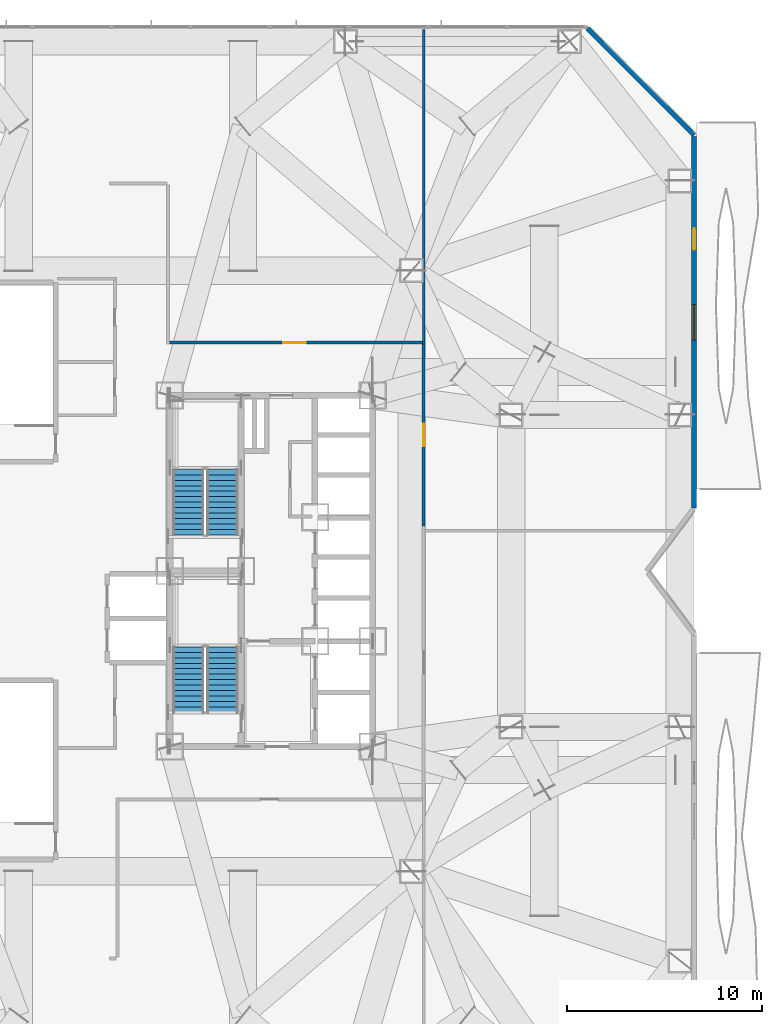
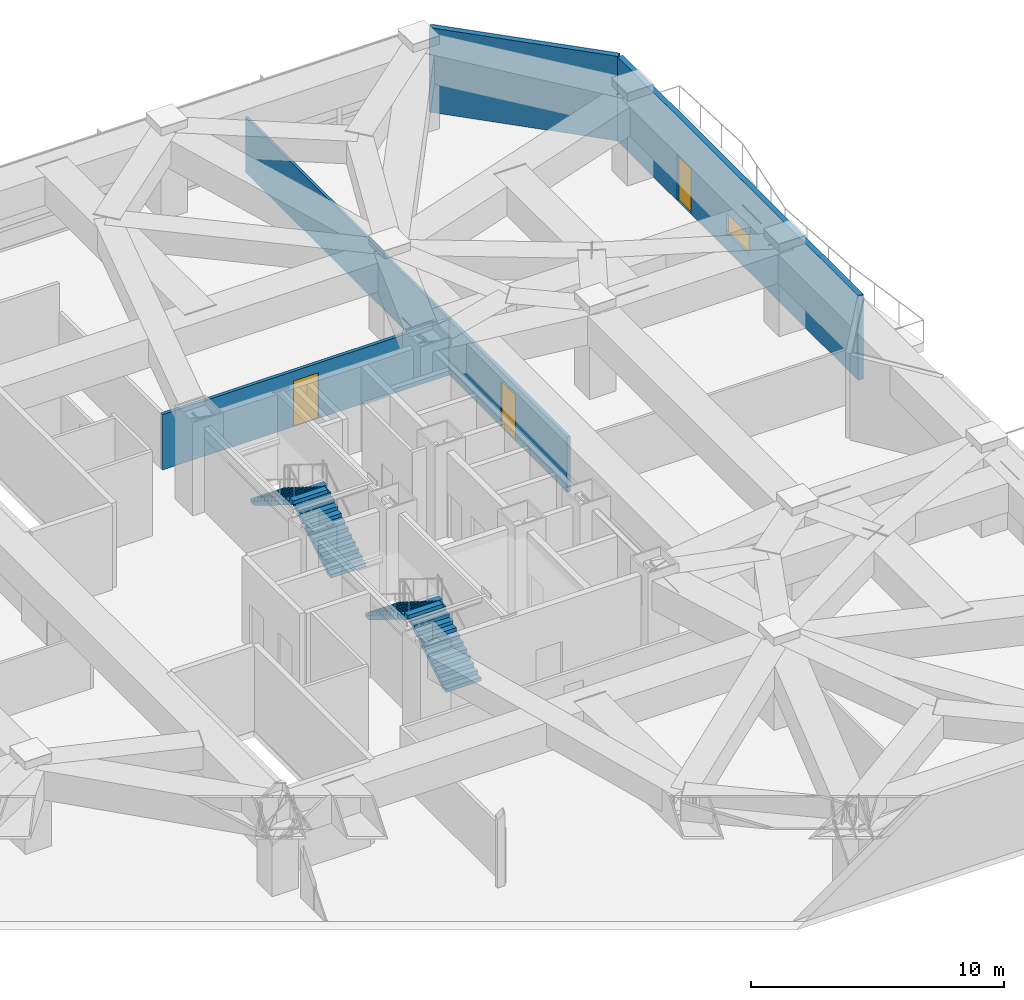
# One storey, part 22 of 27: 5 walls, 4 stair flights, 3 doors, 1 window, 4 openings, 2 elements without a shape of their own.
"""IFC4 building model written with IfcOpenShell, lengths in metres."""

from ifc_helpers import new_model, si_unit, direction, frame, frame_2d, origin, place, context, subcontext, project, spatial, polyline, rectangle, outline, extrude, material, layer, layer_set, type_object, element, fill, aggregate, save


model = new_model("IFC4")

# Units and contexts
model_context = context("Model", 3, precision=1e-05, world=origin(), true_north=direction((0.0, 1.0)))
body_context = subcontext(model_context, "Body", "Model", "MODEL_VIEW")
ifc_project = project(units=[si_unit("LENGTHUNIT", "METRE"), si_unit("AREAUNIT", "SQUARE_METRE"), si_unit("VOLUMEUNIT", "CUBIC_METRE"), si_unit("PLANEANGLEUNIT", "RADIAN"), si_unit("MASSUNIT", "GRAM", prefix="KILO")], contexts=[model_context])

# Site, building, storey
site_placement = place(None, origin())
site = spatial("IfcSite", under=ifc_project, at=site_placement, CompositionType="ELEMENT")
building_placement = place(site_placement, origin())
building = spatial("IfcBuilding", under=site, at=building_placement, Name="Khamvora Tower", CompositionType="ELEMENT")
storey_placement = place(building_placement, frame((0.0, 0.0, 28.800048828125)))
storey = spatial("IfcBuildingStorey", under=building, at=storey_placement, Name="L06", CompositionType="ELEMENT", Elevation=28.800048828125)

# Wall, opening, door
ifc_material_1 = material(Name="Fire-Rated Drywall and Steel Stud", Category="steel")
ifc_layer_1 = layer(ifc_material_1, 0.14990234375)
ifc_layer_set_1 = layer_set([ifc_layer_1], Name="Fire-Rated Drywall and Steel Stud")
wall_type_1 = type_object("IfcWallType", Name="WAL-CORR-150", PredefinedType="STANDARD", material=ifc_layer_set_1)
wall_1_placement = place(storey_placement, frame((42.014892578125, 39.64990234375, 0.0), z_axis=(0.0, 0.0, 1.0), x_axis=(0.0, -1.0, 0.0)))
wall_1 = element("IfcWall", 1, at=wall_1_placement, inside=storey, type_object=wall_type_1, Name="L06 interior partition wall 015", PredefinedType="STANDARD", context=body_context, shape_type="SweptSolid", body=[
    extrude(rectangle(XDim=9.3359375, YDim=0.14990234375, at=frame_2d((4.66796875, 0.0))), origin(), (0.0, 0.0, 1.0), 2.669921875),
])
opening_1_placement = place(wall_1_placement, frame((4.093017578125, 0.0, 0.0)))
opening_1 = element("IfcOpeningElement", 2, at=opening_1_placement, cuts=wall_1, Name="Opening D-SC1", PredefinedType="OPENING", context=body_context, shape_type="SweptSolid", body=[
    extrude(rectangle(XDim=1.14990234375, YDim=2.199951171875, at=frame_2d((0.574951171875, 1.10009765625))), frame((0.0, 0.0849609375, 0.0), z_axis=(0.0, -1.0, 0.0), x_axis=(1.0, 0.0, 0.0)), (0.0, 0.0, 1.0), 0.169921875),
])
ifc_material_2 = material(Name="Powder-Coated Steel and Hardwood Leaf", Category="steel")
door_type_1 = type_object("IfcDoorType", Name="DOR-SCHL-1150", OperationType="NOTDEFINED", PredefinedType="DOOR", material=ifc_material_2)
door_1_placement = place(opening_1_placement, origin())
door_1 = element("IfcDoor", 3, at=door_1_placement, inside=storey, type_object=door_type_1, Name="L06 interior door SCOR-SLN", OperationType="SINGLE_SWING_LEFT", OverallHeight=2.199951171875, OverallWidth=1.14990234375, PredefinedType="DOOR", context=body_context, shape_type="SweptSolid", body=[
    extrude(rectangle(XDim=1.14990234375, YDim=2.199951171875, at=frame_2d((0.574951171875, 1.10009765625))), frame((0.0, 0.02490234375, 0.0), z_axis=(0.0, -1.0, 0.0), x_axis=(1.0, 0.0, 0.0)), (0.0, 0.0, 1.0), 0.050048828125),
])
fill(opening_1, door_1)

wall_2_placement = place(storey_placement, frame((28.85205078125, 39.715087890625, 0.0), z_axis=(0.0, 0.0, 1.0), x_axis=(1.0, 0.0, 0.0)))
wall_2 = element("IfcWall", 4, at=wall_2_placement, inside=storey, type_object=wall_type_1, Name="L06 interior partition wall 021", PredefinedType="STANDARD", context=body_context, shape_type="SweptSolid", body=[
    extrude(rectangle(XDim=13.097900390625, YDim=0.14990234375, at=frame_2d((6.548828125, 0.0))), origin(), (0.0, 0.0, 1.0), 2.669921875),
])
opening_2_placement = place(wall_2_placement, frame((5.97412109375, 0.0, 0.0)))
opening_2 = element("IfcOpeningElement", 5, at=opening_2_placement, cuts=wall_2, Name="Opening D-SC1", PredefinedType="OPENING", context=body_context, shape_type="SweptSolid", body=[
    extrude(rectangle(XDim=1.14990234375, YDim=2.199951171875, at=frame_2d((0.574951171875, 1.10009765625))), frame((0.0, 0.0849609375, 0.0), z_axis=(0.0, -1.0, 0.0), x_axis=(1.0, 0.0, 0.0)), (0.0, 0.0, 1.0), 0.169921875),
])
door_2_placement = place(opening_2_placement, origin())
door_2 = element("IfcDoor", 6, at=door_2_placement, inside=storey, type_object=door_type_1, Name="L06 interior door SCOR-RCR", OperationType="SINGLE_SWING_LEFT", OverallHeight=2.199951171875, OverallWidth=1.14990234375, PredefinedType="DOOR", context=body_context, shape_type="SweptSolid", body=[
    extrude(rectangle(XDim=1.14990234375, YDim=2.199951171875, at=frame_2d((0.574951171875, 1.10009765625))), frame((0.0, 0.02490234375, 0.0), z_axis=(0.0, -1.0, 0.0), x_axis=(1.0, 0.0, 0.0)), (0.0, 0.0, 1.0), 0.050048828125),
])
fill(opening_2, door_2)

# Wall
ifc_material_3 = material(Name="Precast concrete C40/50", Category="concrete")
ifc_layer_2 = layer(ifc_material_3, 0.239990234375)
ifc_layer_set_2 = layer_set([ifc_layer_2], Name="Precast concrete C40/50")
wall_type_2 = type_object("IfcWallType", Name="WAL-EXT-240", PredefinedType="STANDARD", material=ifc_layer_set_2)
wall_3_placement = place(storey_placement, frame((50.405029296875, 55.824951171875, 0.0), z_axis=(0.0, 0.0, 1.0), x_axis=(0.707106781187, -0.707106781187, 0.0)))
element("IfcWall", 7, at=wall_3_placement, inside=storey, type_object=wall_type_2, Name="L06 exterior facade wall 08.1", PredefinedType="STANDARD", context=body_context, shape_type="SweptSolid", body=[
    extrude(rectangle(XDim=7.74267578125, YDim=0.239990234375, at=frame_2d((3.871337890625, 0.0))), origin(), (0.0, 0.0, 1.0), 4.079833984375),
])

# Wall, openings, door, window
wall_4_placement = place(storey_placement, frame((55.8798828125, 50.27197265625, 0.0), z_axis=(0.0, 0.0, 1.0), x_axis=(0.0, -1.0, 0.0)))
wall_4 = element("IfcWall", 8, at=wall_4_placement, inside=storey, type_object=wall_type_2, Name="L06 exterior facade wall 09.1", PredefinedType="STANDARD", context=body_context, shape_type="SweptSolid", body=[
    extrude(rectangle(XDim=19.031982421875, YDim=0.239990234375, at=frame_2d((9.51611328125, 0.0))), origin(), (0.0, 0.0, 1.0), 4.079833984375),
])
opening_3_placement = place(wall_4_placement, frame((4.7060546875, 0.0, 0.0)))
opening_3 = element("IfcOpeningElement", 9, at=opening_3_placement, cuts=wall_4, Name="Opening BD-01", PredefinedType="OPENING", context=body_context, shape_type="SweptSolid", body=[
    extrude(rectangle(XDim=1.10009765625, YDim=2.199951171875, at=frame_2d((0.550048828125, 1.10009765625))), frame((0.0, 0.1298828125, 0.0), z_axis=(0.0, -1.0, 0.0), x_axis=(1.0, 0.0, 0.0)), (0.0, 0.0, 1.0), 0.260009765625),
])
opening_4_placement = place(wall_4_placement, frame((8.615966796875, 0.0, 0.85009765625)))
opening_4 = element("IfcOpeningElement", 10, at=opening_4_placement, cuts=wall_4, Name="Opening WN-09", PredefinedType="OPENING", context=body_context, shape_type="SweptSolid", body=[
    extrude(rectangle(XDim=1.800048828125, YDim=0.919921875, at=frame_2d((0.89990234375, 0.4599609375))), frame((0.0, 0.1298828125, 0.0), z_axis=(0.0, -1.0, 0.0), x_axis=(1.0, 0.0, 0.0)), (0.0, 0.0, 1.0), 0.260009765625),
])
ifc_material_4 = material(Name="Anodised Aluminium and Laminated Safety Glass", Category="aluminium")
door_type_2 = type_object("IfcDoorType", Name="DOR-BAL-1100", OperationType="NOTDEFINED", PredefinedType="DOOR", material=ifc_material_4)
door_3_placement = place(opening_3_placement, origin())
door_3 = element("IfcDoor", 11, at=door_3_placement, inside=storey, type_object=door_type_2, Name="L06 lens gallery balcony door EL2", OperationType="SLIDING_TO_LEFT", OverallHeight=2.199951171875, OverallWidth=1.10009765625, PredefinedType="DOOR", context=body_context, shape_type="SweptSolid", body=[
    extrude(rectangle(XDim=1.10009765625, YDim=2.199951171875, at=frame_2d((0.550048828125, 1.10009765625))), frame((0.0, 0.02490234375, 0.0), z_axis=(0.0, -1.0, 0.0), x_axis=(1.0, 0.0, 0.0)), (0.0, 0.0, 1.0), 0.050048828125),
])
fill(opening_3, door_3)
ifc_material_5 = material(Name="Low-E Laminated Double Glazing", Category="glass")
window_type = type_object("IfcWindowType", Name="WIN-CLR-1800x920", PartitioningType="SINGLE_PANEL", PredefinedType="WINDOW", material=ifc_material_5)
window_placement = place(opening_4_placement, origin())
window = element("IfcWindow", 12, at=window_placement, inside=storey, type_object=window_type, Name="L06 vision window 09.1.01", OverallHeight=0.919921875, OverallWidth=1.800048828125, PartitioningType="SINGLE_PANEL", PredefinedType="WINDOW", context=body_context, shape_type="SweptSolid", body=[
    extrude(rectangle(XDim=1.800048828125, YDim=0.919921875, at=frame_2d((0.89990234375, 0.4599609375))), frame((0.0, 0.030029296875, 0.0), z_axis=(0.0, -1.0, 0.0), x_axis=(1.0, 0.0, 0.0)), (0.0, 0.0, 1.0), 0.06005859375),
])
fill(opening_4, window)

# Wall
ifc_material_6 = material(Name="Gypsum Plasterboard Partition", Category="gypsum")
ifc_layer_3 = layer(ifc_material_6, 0.1201171875)
ifc_layer_set_3 = layer_set([ifc_layer_3], Name="Gypsum Plasterboard Partition")
wall_type_3 = type_object("IfcWallType", Name="WAL-PART-120", PredefinedType="PARTITIONING", material=ifc_layer_set_3)
wall_5_placement = place(storey_placement, frame((42.014892578125, 39.64990234375, 0.0), z_axis=(0.0, 0.0, 1.0), x_axis=(0.0, 1.0, 0.0)))
element("IfcWall", 13, at=wall_5_placement, inside=storey, type_object=wall_type_3, Name="L06 interior partition wall 026", PredefinedType="PARTITIONING", context=body_context, shape_type="SweptSolid", body=[
    extrude(rectangle(XDim=16.128173828125, YDim=0.1201171875, at=frame_2d((8.06396484375, 0.0))), origin(), (0.0, 0.0, 1.0), 2.669921875),
])

# Stair, stair flights
ifc_material_7 = material(Name="Concrete C40/50", Category="concrete")
stair_type_1 = type_object("IfcStairType", Name="STR-ST-01", PredefinedType="HALF_TURN_STAIR", material=ifc_material_7)
stair_1_placement = place(storey_placement, origin())
stair_1 = element("IfcStair", 14, at=stair_1_placement, inside=storey, type_object=stair_type_1, Name="L06 South Tower Exit Stair ST-01", PredefinedType="HALF_TURN_STAIR")
stair_flight_type_1 = type_object("IfcStairFlightType", Name="STF-ST-01", PredefinedType="STRAIGHT", material=ifc_material_7)
stair_flight_1_placement = place(storey_placement, frame((31.699951171875, 20.75, 0.0), z_axis=(0.0, 0.0, 1.0), x_axis=(0.0, 1.0, 0.0)))
stair_flight_1 = element("IfcStairFlight", 15, at=stair_flight_1_placement, type_object=stair_flight_type_1, Name="ST-01 flight 1", NumberOfRisers=13, NumberOfTreads=12, PredefinedType="STRAIGHT", RiserHeight=0.173076923, TreadLength=0.28, context=body_context, shape_type="SweptSolid", body=[
    extrude(outline(polyline([(0.0, 0.0), (0.0, 0.173095703125), (0.280029296875, 0.173095703125), (0.280029296875, 0.34619140625), (0.56005859375, 0.34619140625), (0.56005859375, 0.519287109375), (0.840087890625, 0.519287109375), (0.840087890625, 0.6923828125), (1.1201171875, 0.6923828125), (1.1201171875, 0.865478515625), (1.39990234375, 0.865478515625), (1.39990234375, 1.03857421875), (1.679931640625, 1.03857421875), (1.679931640625, 1.21142578125), (1.9599609375, 1.21142578125), (1.9599609375, 1.384521484375), (2.239990234375, 1.384521484375), (2.239990234375, 1.5576171875), (2.52001953125, 1.5576171875), (2.52001953125, 1.730712890625), (2.800048828125, 1.730712890625), (2.800048828125, 1.90380859375), (3.080078125, 1.90380859375), (3.080078125, 2.076904296875), (3.360107421875, 2.076904296875), (3.360107421875, 2.25), (3.360107421875, 1.900634765625), (0.28515625, 0.0), (0.0, 0.0)])), frame((0.0, 0.800048828125, 0.0), z_axis=(0.0, -1.0, 0.0), x_axis=(1.0, 0.0, 0.0)), (0.0, 0.0, 1.0), 1.60009765625),
])
stair_flight_2_placement = place(storey_placement, frame((29.949951171875, 24.110107421875, 2.25), z_axis=(0.0, 0.0, 1.0), x_axis=(0.0, -1.0, 0.0)))
stair_flight_2 = element("IfcStairFlight", 16, at=stair_flight_2_placement, type_object=stair_flight_type_1, Name="ST-01 flight 2", NumberOfRisers=13, NumberOfTreads=12, PredefinedType="STRAIGHT", RiserHeight=0.173076923, TreadLength=0.28, context=body_context, shape_type="SweptSolid", body=[
    extrude(outline(polyline([(0.0, 0.0), (0.0, 0.173095703125), (0.280029296875, 0.173095703125), (0.280029296875, 0.34619140625), (0.56005859375, 0.34619140625), (0.56005859375, 0.519287109375), (0.840087890625, 0.519287109375), (0.840087890625, 0.6923828125), (1.1201171875, 0.6923828125), (1.1201171875, 0.865478515625), (1.39990234375, 0.865478515625), (1.39990234375, 1.03857421875), (1.679931640625, 1.03857421875), (1.679931640625, 1.21142578125), (1.9599609375, 1.21142578125), (1.9599609375, 1.384521484375), (2.239990234375, 1.384521484375), (2.239990234375, 1.5576171875), (2.52001953125, 1.5576171875), (2.52001953125, 1.730712890625), (2.800048828125, 1.730712890625), (2.800048828125, 1.90380859375), (3.080078125, 1.90380859375), (3.080078125, 2.076904296875), (3.360107421875, 2.076904296875), (3.360107421875, 2.25), (3.360107421875, 1.900634765625), (0.28515625, 0.0), (0.0, 0.0)])), frame((0.0, 0.800048828125, 0.0), z_axis=(0.0, -1.0, 0.0), x_axis=(1.0, 0.0, 0.0)), (0.0, 0.0, 1.0), 1.60009765625),
])
aggregate(stair_1, [stair_flight_1, stair_flight_2])

stair_type_2 = type_object("IfcStairType", Name="STR-ST-02", PredefinedType="HALF_TURN_STAIR", material=ifc_material_7)
stair_2_placement = place(storey_placement, origin())
stair_2 = element("IfcStair", 17, at=stair_2_placement, inside=storey, type_object=stair_type_2, Name="L06 North Tower Exit Stair ST-02", PredefinedType="HALF_TURN_STAIR")
stair_flight_type_2 = type_object("IfcStairFlightType", Name="STF-ST-02", PredefinedType="STRAIGHT", material=ifc_material_7)
stair_flight_3_placement = place(storey_placement, frame((31.699951171875, 29.85009765625, 0.0), z_axis=(0.0, 0.0, 1.0), x_axis=(0.0, 1.0, 0.0)))
stair_flight_3 = element("IfcStairFlight", 18, at=stair_flight_3_placement, type_object=stair_flight_type_2, Name="ST-02 flight 1", NumberOfRisers=13, NumberOfTreads=12, PredefinedType="STRAIGHT", RiserHeight=0.173076923, TreadLength=0.28, context=body_context, shape_type="SweptSolid", body=[
    extrude(outline(polyline([(0.0, 0.0), (0.0, 0.173095703125), (0.280029296875, 0.173095703125), (0.280029296875, 0.34619140625), (0.56005859375, 0.34619140625), (0.56005859375, 0.519287109375), (0.840087890625, 0.519287109375), (0.840087890625, 0.6923828125), (1.1201171875, 0.6923828125), (1.1201171875, 0.865478515625), (1.39990234375, 0.865478515625), (1.39990234375, 1.03857421875), (1.679931640625, 1.03857421875), (1.679931640625, 1.21142578125), (1.9599609375, 1.21142578125), (1.9599609375, 1.384521484375), (2.239990234375, 1.384521484375), (2.239990234375, 1.5576171875), (2.52001953125, 1.5576171875), (2.52001953125, 1.730712890625), (2.800048828125, 1.730712890625), (2.800048828125, 1.90380859375), (3.080078125, 1.90380859375), (3.080078125, 2.076904296875), (3.360107421875, 2.076904296875), (3.360107421875, 2.25), (3.360107421875, 1.900634765625), (0.28515625, 0.0), (0.0, 0.0)])), frame((0.0, 0.800048828125, 0.0), z_axis=(0.0, -1.0, 0.0), x_axis=(1.0, 0.0, 0.0)), (0.0, 0.0, 1.0), 1.60009765625),
])
stair_flight_4_placement = place(storey_placement, frame((29.949951171875, 33.2099609375, 2.25), z_axis=(0.0, 0.0, 1.0), x_axis=(0.0, -1.0, 0.0)))
stair_flight_4 = element("IfcStairFlight", 19, at=stair_flight_4_placement, type_object=stair_flight_type_2, Name="ST-02 flight 2", NumberOfRisers=13, NumberOfTreads=12, PredefinedType="STRAIGHT", RiserHeight=0.173076923, TreadLength=0.28, context=body_context, shape_type="SweptSolid", body=[
    extrude(outline(polyline([(0.0, 0.0), (0.0, 0.173095703125), (0.280029296875, 0.173095703125), (0.280029296875, 0.34619140625), (0.56005859375, 0.34619140625), (0.56005859375, 0.519287109375), (0.840087890625, 0.519287109375), (0.840087890625, 0.6923828125), (1.1201171875, 0.6923828125), (1.1201171875, 0.865478515625), (1.39990234375, 0.865478515625), (1.39990234375, 1.03857421875), (1.679931640625, 1.03857421875), (1.679931640625, 1.21142578125), (1.9599609375, 1.21142578125), (1.9599609375, 1.384521484375), (2.239990234375, 1.384521484375), (2.239990234375, 1.5576171875), (2.52001953125, 1.5576171875), (2.52001953125, 1.730712890625), (2.800048828125, 1.730712890625), (2.800048828125, 1.90380859375), (3.080078125, 1.90380859375), (3.080078125, 2.076904296875), (3.360107421875, 2.076904296875), (3.360107421875, 2.25), (3.360107421875, 1.900634765625), (0.28515625, 0.0), (0.0, 0.0)])), frame((0.0, 0.800048828125, 0.0), z_axis=(0.0, -1.0, 0.0), x_axis=(1.0, 0.0, 0.0)), (0.0, 0.0, 1.0), 1.60009765625),
])
aggregate(stair_2, [stair_flight_3, stair_flight_4])

save(model, "model.ifc")
